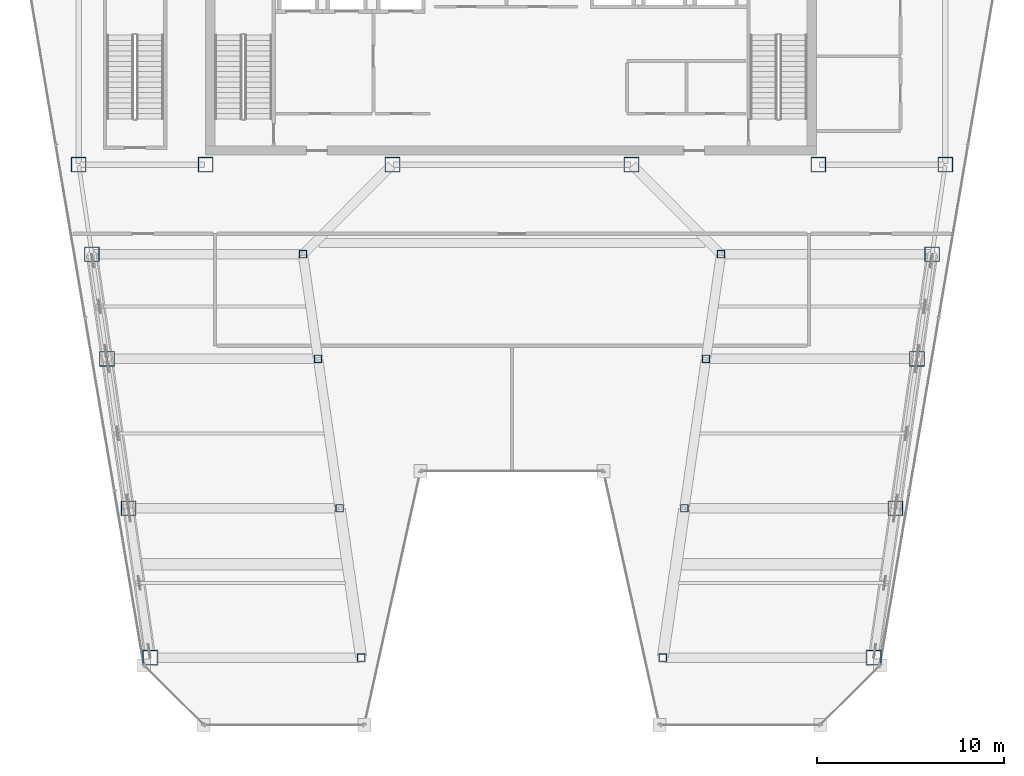
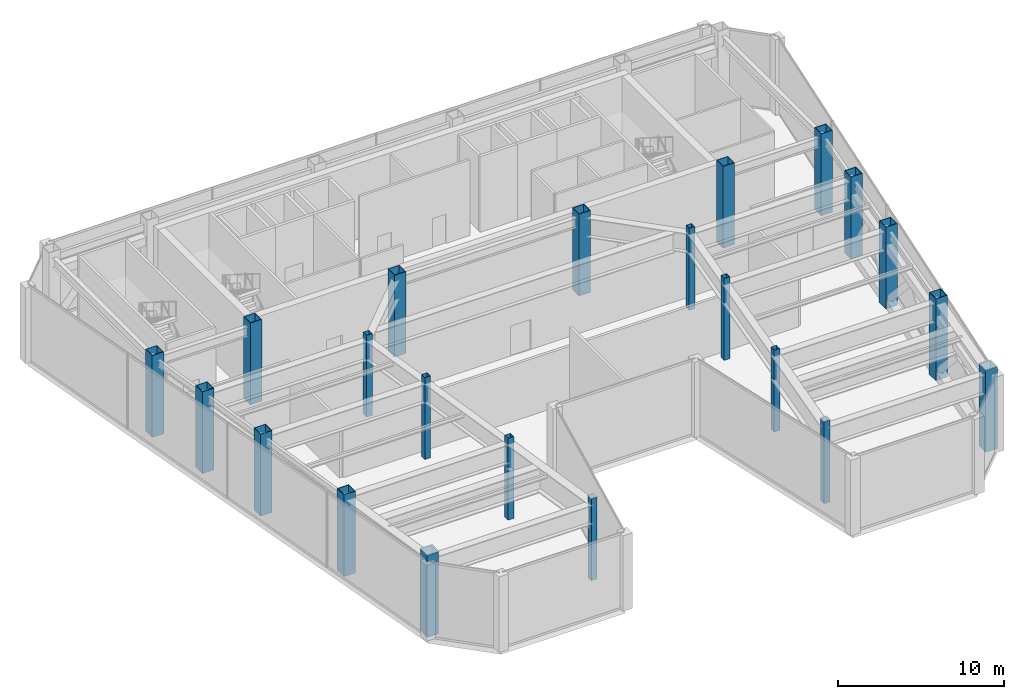
# One storey, part 1 of 34: 22 columns.
"""IFC4 building model written with IfcOpenShell, lengths in metres."""

from ifc_helpers import new_model, si_unit, direction, frame, origin, origin_2d, place, context, subcontext, project, spatial, hollow_rectangle, extrude, material, material_profile, profile_set, type_object, element, save


model = new_model("IFC4")

# Units and contexts
model_context = context("Model", 3, precision=1e-05, world=origin(), true_north=direction((0.0, 1.0)))
body_context = subcontext(model_context, "Body", "Model", "MODEL_VIEW")
ifc_project = project(units=[si_unit("LENGTHUNIT", "METRE"), si_unit("AREAUNIT", "SQUARE_METRE"), si_unit("VOLUMEUNIT", "CUBIC_METRE"), si_unit("PLANEANGLEUNIT", "RADIAN"), si_unit("MASSUNIT", "GRAM", prefix="KILO")], contexts=[model_context])

# Site, building, storey
site_placement = place(None, origin())
site = spatial("IfcSite", under=ifc_project, at=site_placement, CompositionType="ELEMENT")
building_placement = place(site_placement, origin())
building = spatial("IfcBuilding", under=site, at=building_placement, Name="Saevonmaru Cultural Tower", CompositionType="ELEMENT")
storey_placement = place(building_placement, frame((0.0, 0.0, 224.60009765625)))
storey = spatial("IfcBuildingStorey", under=building, at=storey_placement, Name="L52", CompositionType="ELEMENT", Elevation=224.60009765625)

# Columns
ifc_material_1 = material(Name="Steel SM420", Category="steel")
ifc_material_profile_1 = material_profile(ifc_material_1, hollow_rectangle(XDim=0.800048828125, YDim=0.800048828125, WallThickness=0.035888671875, at=origin_2d()), Name="BOX-800x800x36")
ifc_profile_set_1 = profile_set([ifc_material_profile_1], Name="Steel SM420")
column_type_1 = type_object("IfcColumnType", Name="COL-BOX-800", PredefinedType="COLUMN", material=ifc_profile_set_1)
for number, where, z_axis, x_axis, name in (
    (1, (6.800048828125, 42.39990234375, 0.0), (0.0, 0.0, 1.0), (1.0, 0.0, 0.0), "L52 Column TC-S1C"),
    (2, (13.60009765625, 42.39990234375, 0.0), (0.0, 0.0, 1.0), (1.0, 0.0, 0.0), "L52 Column TC-S2C"),
    (3, (23.60009765625, 42.39990234375, 0.0), (0.0, 0.0, 1.0), (1.0, 0.0, 0.0), "L52 Column TC-S3C"),
    (4, (36.39990234375, 42.39990234375, 0.0), (0.0, 0.0, 1.0), (1.0, 0.0, 0.0), "L52 Column TC-S4C"),
    (5, (46.39990234375, 42.39990234375, 0.0), (0.0, 0.0, 1.0), (1.0, 0.0, 0.0), "L52 Column TC-S5C"),
    (6, (53.199951171875, 42.39990234375, 0.0), (0.0, 0.0, 1.0), (1.0, 0.0, 0.0), "L52 Column TC-S6C"),
    (7, (10.6279296875, 16.0, 0.0), (0.0, 0.0, 1.0), (1.0, 0.0, 0.0), "L52 Column TC-WO-Y160"),
    (8, (49.3720703125, 16.0, 0.0), (0.0, 0.0, 1.0), (1.0, 0.0, 0.0), "L52 Column TC-EO-Y160"),
    (9, (9.471923828125, 24.0, 0.0), (0.0, 0.0, 1.0), (1.0, 0.0, 0.0), "L52 Column TC-WO-Y240"),
    (10, (50.528076171875, 24.0, 0.0), (0.0, 0.0, 1.0), (1.0, 0.0, 0.0), "L52 Column TC-EO-Y240"),
    (11, (8.31689453125, 32.0, 0.0), (0.0, 0.0, 1.0), (1.0, 0.0, 0.0), "L52 Column TC-WO-Y320"),
    (12, (51.68310546875, 32.0, 0.0), (0.0, 0.0, 1.0), (1.0, 0.0, 0.0), "L52 Column TC-EO-Y320"),
    (13, (7.508056640625, 37.60009765625, 0.0), (0.0, 0.0, 1.0), (1.0, 0.0, 0.0), "L52 Column TC-WO-Y376"),
    (14, (52.491943359375, 37.60009765625, 0.0), (0.0, 0.0, 1.0), (1.0, 0.0, 0.0), "L52 Column TC-EO-Y376"),
):
    element("IfcColumn", number, at=place(storey_placement, frame(where, z_axis=z_axis, x_axis=x_axis)), inside=storey, type_object=column_type_1, Name=name, PredefinedType="COLUMN", context=body_context, shape_type="SweptSolid", body=[
        extrude(hollow_rectangle(XDim=0.800048828125, YDim=0.800048828125, WallThickness=0.035888671875, at=origin_2d()), origin(), (0.0, 0.0, 1.0), 6.0),
    ])
ifc_material_2 = material(Name="Steel SM355", Category="steel")
ifc_material_profile_2 = material_profile(ifc_material_2, hollow_rectangle(XDim=0.39990234375, YDim=0.39990234375, WallThickness=0.01611328125, at=origin_2d()), Name="SHS-400x400x16")
ifc_profile_set_2 = profile_set([ifc_material_profile_2], Name="Steel SM355")
column_type_2 = type_object("IfcColumnType", Name="COL-SHS-400", PredefinedType="COLUMN", material=ifc_profile_set_2)
for number, where, z_axis, x_axis, name in (
    (15, (21.927978515625, 16.0, 0.0), (0.0, 0.0, 1.0), (1.0, 0.0, 0.0), "L52 Column TC-WI-Y160"),
    (16, (38.072021484375, 16.0, 0.0), (0.0, 0.0, 1.0), (1.0, 0.0, 0.0), "L52 Column TC-EI-Y160"),
    (17, (20.77197265625, 24.0, 0.0), (0.0, 0.0, 1.0), (1.0, 0.0, 0.0), "L52 Column TC-WI-Y240"),
    (18, (39.22802734375, 24.0, 0.0), (0.0, 0.0, 1.0), (1.0, 0.0, 0.0), "L52 Column TC-EI-Y240"),
    (19, (19.616943359375, 32.0, 0.0), (0.0, 0.0, 1.0), (1.0, 0.0, 0.0), "L52 Column TC-WI-Y320"),
    (20, (40.383056640625, 32.0, 0.0), (0.0, 0.0, 1.0), (1.0, 0.0, 0.0), "L52 Column TC-EI-Y320"),
    (21, (18.80810546875, 37.60009765625, 0.0), (0.0, 0.0, 1.0), (1.0, 0.0, 0.0), "L52 Column TC-WI-Y376"),
    (22, (41.19189453125, 37.60009765625, 0.0), (0.0, 0.0, 1.0), (1.0, 0.0, 0.0), "L52 Column TC-EI-Y376"),
):
    element("IfcColumn", number, at=place(storey_placement, frame(where, z_axis=z_axis, x_axis=x_axis)), inside=storey, type_object=column_type_2, Name=name, PredefinedType="COLUMN", context=body_context, shape_type="SweptSolid", body=[
        extrude(hollow_rectangle(XDim=0.39990234375, YDim=0.39990234375, WallThickness=0.01611328125, at=origin_2d()), origin(), (0.0, 0.0, 1.0), 6.0),
    ])

save(model, "model.ifc")
